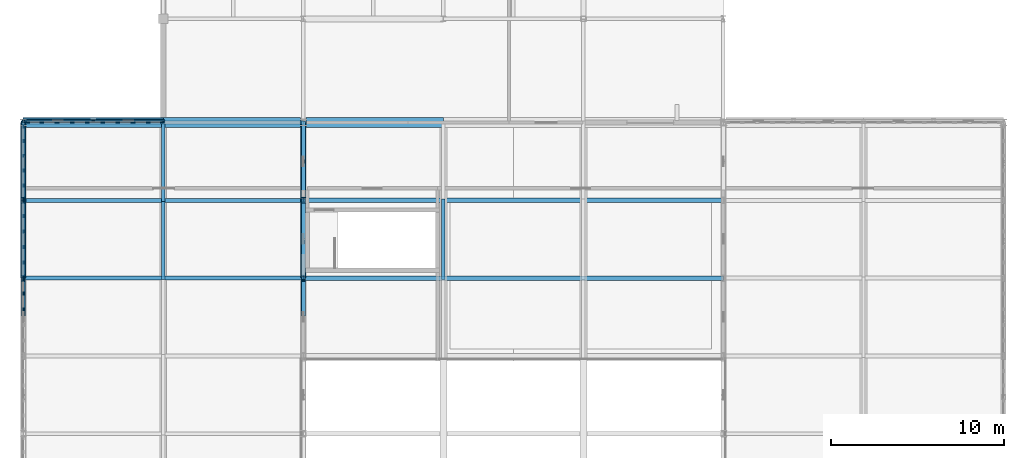
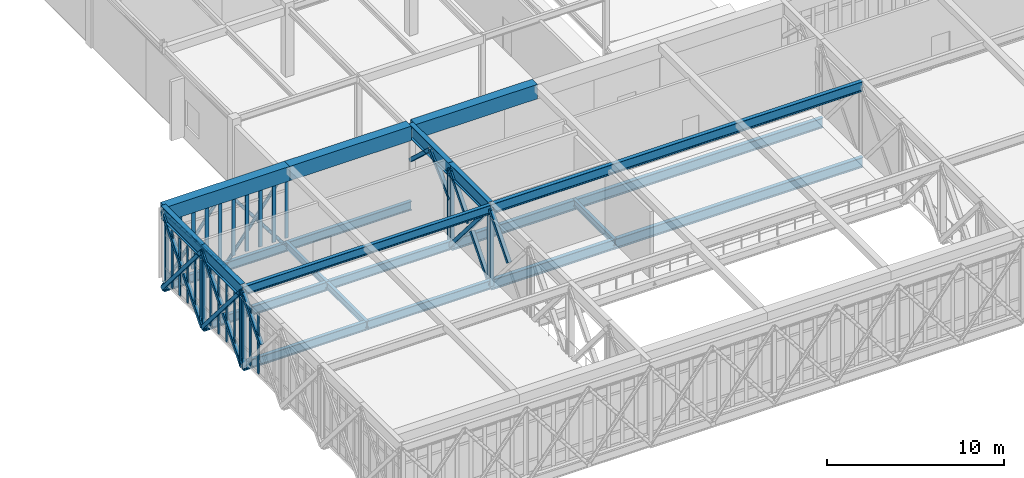
# One storey, part 14 of 70: 48 members, 17 beams, 4 elements without a shape of their own.
"""IFC4 building model written with IfcOpenShell, lengths in metres."""

from ifc_helpers import new_model, si_unit, direction, frame, origin, origin_2d, place, context, subcontext, project, spatial, rectangle, hollow_rectangle, hollow_circle, i_section, extrude, material, material_profile, profile_set, type_object, element, aggregate, save


model = new_model("IFC4")

# Units and contexts
model_context = context("Model", 3, precision=1e-05, world=origin(), true_north=direction((0.0, 1.0)))
body_context = subcontext(model_context, "Body", "Model", "MODEL_VIEW")
ifc_project = project(units=[si_unit("LENGTHUNIT", "METRE"), si_unit("AREAUNIT", "SQUARE_METRE"), si_unit("VOLUMEUNIT", "CUBIC_METRE"), si_unit("PLANEANGLEUNIT", "RADIAN"), si_unit("MASSUNIT", "GRAM", prefix="KILO")], contexts=[model_context])

# Site, building, storey
site_placement = place(None, origin())
site = spatial("IfcSite", under=ifc_project, at=site_placement, CompositionType="ELEMENT")
building_placement = place(site_placement, origin())
building = spatial("IfcBuilding", under=site, at=building_placement, Name="Tarnveldt Square Police Headquarters", CompositionType="ELEMENT")
storey_placement = place(building_placement, frame((0.0, 0.0, 19.800048828125)))
storey = spatial("IfcBuildingStorey", under=building, at=storey_placement, Name="L04", CompositionType="ELEMENT", Elevation=19.800048828125)

# Beams
ifc_material_1 = material(Name="Steel 350W", Category="steel")
ifc_material_profile_1 = material_profile(ifc_material_1, i_section(OverallWidth=0.305908203125, OverallDepth=0.9189453125, WebThickness=0.017333984375, FlangeThickness=0.02783203125, FilletRadius=0.02392578125, at=origin_2d()), Name="W920x253")
ifc_profile_set_1 = profile_set([ifc_material_profile_1], Name="Steel 350W")
beam_type_1 = type_object("IfcBeamType", Name="BM-CT-TOP", PredefinedType="BEAM", material=ifc_profile_set_1)
for number, where, z_axis, x_axis, name in (
    (1, (8.10009765625, 34.0, 4.640380859375), (0.0, -1.0, 0.0), (1.0, 0.0, 0.0), "Cantilever Truss CT-1 Top Chord 1"),
    (2, (8.10009765625, 29.5, 4.640380859375), (0.0, -1.0, 0.0), (1.0, 0.0, 0.0), "Cantilever Truss CT-1 Top Chord 2"),
    (3, (24.300048828125, 34.0, 4.640380859375), (0.0, -1.0, 0.0), (1.0, 0.0, 0.0), "Cantilever Truss CT-2 Top Chord 1"),
    (4, (24.300048828125, 29.5, 4.640380859375), (0.0, -1.0, 0.0), (1.0, 0.0, 0.0), "Cantilever Truss CT-2 Top Chord 2"),
):
    element("IfcBeam", number, at=place(storey_placement, frame(where, z_axis=z_axis, x_axis=x_axis)), inside=storey, type_object=beam_type_1, Name=name, PredefinedType="BEAM", context=body_context, shape_type="SweptSolid", body=[
        extrude(i_section(OverallWidth=0.305908203125, OverallDepth=0.9189453125, WebThickness=0.017333984375, FlangeThickness=0.02783203125, FilletRadius=0.02392578125, at=origin_2d()), origin(), (0.0, 0.0, 1.0), 4.5),
    ])
ifc_material_2 = material(Name="Concrete 50 MPa", Category="concrete")
ifc_material_profile_2 = material_profile(ifc_material_2, rectangle(XDim=0.60009765625, YDim=1.0, at=origin_2d()), Name="RC-B600x1000")
ifc_profile_set_2 = profile_set([ifc_material_profile_2], Name="Concrete 50 MPa")
beam_type_2 = type_object("IfcBeamType", Name="BM-RC600x1000", PredefinedType="BEAM", material=ifc_profile_set_2)
beam_placement = place(storey_placement, frame((8.10009765625, 34.0, 4.599853515625), z_axis=(1.0, 0.0, 0.0), x_axis=(0.0, 1.0, 0.0)))
element("IfcBeam", 5, at=beam_placement, inside=storey, type_object=beam_type_2, Name="Command and Control Room Springing Edge Ring Beam N1", PredefinedType="BEAM", context=body_context, shape_type="SweptSolid", body=[
    extrude(rectangle(XDim=0.60009765625, YDim=1.0, at=origin_2d()), origin(), (0.0, 0.0, 1.0), 8.099853515625),
])
for number, where, z_axis, x_axis, name in (
    (6, (16.199951171875, 34.0, 4.599853515625), (1.0, 0.0, 0.0), (0.0, 1.0, 0.0), "Command and Control Room Springing Edge Ring Beam N2"),
    (7, (24.449951171875, 34.0, 4.599853515625), (1.0, 0.0, 0.0), (0.0, 1.0, 0.0), "Command and Control Room Springing Edge Ring Beam N3"),
):
    element("IfcBeam", number, at=place(storey_placement, frame(where, z_axis=z_axis, x_axis=x_axis)), inside=storey, type_object=beam_type_2, Name=name, PredefinedType="BEAM", context=body_context, shape_type="SweptSolid", body=[
        extrude(rectangle(XDim=0.60009765625, YDim=1.0, at=origin_2d()), origin(), (0.0, 0.0, 1.0), 7.949951171875),
    ])
ifc_material_profile_3 = material_profile(ifc_material_1, i_section(OverallWidth=0.19189453125, OverallDepth=0.462890625, WebThickness=0.010498046875, FlangeThickness=0.017578125, FilletRadius=0.01806640625, at=origin_2d()), Name="W460x89")
ifc_profile_set_3 = profile_set([ifc_material_profile_3], Name="Steel 350W")
beam_type_3 = type_object("IfcBeamType", Name="BM-W460x89", PredefinedType="BEAM", material=ifc_profile_set_3)
for number, where, z_axis, x_axis, name in (
    (8, (16.199951171875, 34.080078125, -0.491455078125), (0.0, -1.0, 0.0), (1.0, 0.0, 0.0), "Lantern L04 Secondary Beam 16.0"),
    (9, (16.199951171875, 29.580078125, -0.491455078125), (0.0, -1.0, 0.0), (1.0, 0.0, 0.0), "Lantern L04 Secondary Beam 16.1"),
    (10, (32.39990234375, 29.580078125, -0.491455078125), (0.0, -1.0, 0.0), (1.0, 0.0, 0.0), "Lantern L04 Secondary Beam 32.1"),
):
    element("IfcBeam", number, at=place(storey_placement, frame(where, z_axis=z_axis, x_axis=x_axis)), inside=storey, type_object=beam_type_3, Name=name, PredefinedType="BEAM", context=body_context, shape_type="SweptSolid", body=[
        extrude(i_section(OverallWidth=0.19189453125, OverallDepth=0.462890625, WebThickness=0.010498046875, FlangeThickness=0.017578125, FilletRadius=0.01806640625, at=origin_2d()), origin(), (0.0, 0.0, 1.0), 4.66015625),
    ])
ifc_material_profile_4 = material_profile(ifc_material_1, i_section(OverallWidth=0.22900390625, OverallDepth=0.612060546875, WebThickness=0.011962890625, FlangeThickness=0.01953125, FilletRadius=0.01904296875, at=origin_2d()), Name="W610x125")
ifc_profile_set_4 = profile_set([ifc_material_profile_4], Name="Steel 350W")
beam_type_4 = type_object("IfcBeamType", Name="BM-W610x125", PredefinedType="BEAM", material=ifc_profile_set_4)
for number, where, z_axis, x_axis, name in (
    (11, (8.10009765625, 34.0, -0.566162109375), (1.0, 0.0, 0.0), (0.0, 1.0, 0.0), "Command Lantern L04 Transverse Girder 1.0"),
    (12, (8.10009765625, 29.5, -0.566162109375), (1.0, 0.0, 0.0), (0.0, 1.0, 0.0), "Command Lantern L04 Transverse Girder 1.1"),
    (13, (8.10009765625, 25.0, -0.566162109375), (1.0, 0.0, 0.0), (0.0, 1.0, 0.0), "Command Lantern L04 Transverse Girder 1.2"),
    (14, (8.10009765625, 25.0, 4.640380859375), (1.0, 0.0, 0.0), (0.0, 1.0, 0.0), "Command Lantern Roof Ring Girder 1.2"),
):
    element("IfcBeam", number, at=place(storey_placement, frame(where, z_axis=z_axis, x_axis=x_axis)), inside=storey, type_object=beam_type_4, Name=name, PredefinedType="BEAM", context=body_context, shape_type="SweptSolid", body=[
        extrude(i_section(OverallWidth=0.22900390625, OverallDepth=0.612060546875, WebThickness=0.011962890625, FlangeThickness=0.01953125, FilletRadius=0.01904296875, at=origin_2d()), origin(), (0.0, 0.0, 1.0), 16.199951171875),
    ])
ifc_material_profile_5 = material_profile(ifc_material_1, i_section(OverallWidth=0.25390625, OverallDepth=0.68798828125, WebThickness=0.01318359375, FlangeThickness=0.02099609375, FilletRadius=0.02001953125, at=origin_2d()), Name="W690x152")
ifc_profile_set_5 = profile_set([ifc_material_profile_5], Name="Steel 350W")
beam_type_5 = type_object("IfcBeamType", Name="BM-W690x152", PredefinedType="BEAM", material=ifc_profile_set_5)
for number, where, z_axis, x_axis, name in (
    (15, (24.300048828125, 29.5, -0.60400390625), (1.0, 0.0, 0.0), (0.0, 1.0, 0.0), "Command Lantern L04 Transverse Girder 2.1"),
    (16, (24.300048828125, 25.0, -0.60400390625), (1.0, 0.0, 0.0), (0.0, 1.0, 0.0), "Command Lantern L04 Transverse Girder 2.2"),
    (17, (24.300048828125, 25.0, 4.640380859375), (1.0, 0.0, 0.0), (0.0, 1.0, 0.0), "Command Lantern Roof Ring Girder 2.2"),
):
    element("IfcBeam", number, at=place(storey_placement, frame(where, z_axis=z_axis, x_axis=x_axis)), inside=storey, type_object=beam_type_5, Name=name, PredefinedType="BEAM", context=body_context, shape_type="SweptSolid", body=[
        extrude(i_section(OverallWidth=0.25390625, OverallDepth=0.68798828125, WebThickness=0.01318359375, FlangeThickness=0.02099609375, FilletRadius=0.02001953125, at=origin_2d()), origin(), (0.0, 0.0, 1.0), 24.300048828125),
    ])

# Curtain wall, members
ifc_material_3 = material(Name="Triple-glazed low-e laminated vision glass", Category="glass")
curtain_wall_type_1 = type_object("IfcCurtainWallType", Name="CW-LT-450x417", PredefinedType="USERDEFINED", material=ifc_material_3)
curtain_wall_1_placement = place(storey_placement, origin())
curtain_wall_1 = element("IfcCurtainWall", 18, at=curtain_wall_1_placement, inside=storey, type_object=curtain_wall_type_1, Name="L04 Curtain Wall CW-L04-053", ObjectType="GLAZED CURTAIN WALL", PredefinedType="USERDEFINED")
ifc_material_4 = material(Name="Thermally broken anodised aluminium 6063-T6", Category="aluminium")
ifc_material_profile_6 = material_profile(ifc_material_4, rectangle(XDim=0.074951171875, YDim=0.199951171875, at=origin_2d()), Name="CW-M75x200")
ifc_profile_set_6 = profile_set([ifc_material_profile_6], Name="Thermally broken anodised aluminium 6063-T6")
member_type_1 = type_object("IfcMemberType", Name="CWM-75x200", PredefinedType="MULLION", material=ifc_profile_set_6)
member_1_placement = place(storey_placement, frame((8.10009765625, 23.199951171875, 0.0), z_axis=(0.0, 0.0, 1.0), x_axis=(-1.0, 0.0, 0.0)))
member_1 = element("IfcMember", 19, at=member_1_placement, type_object=member_type_1, Name="CW-LT22 mullion 4", PredefinedType="MULLION", context=body_context, shape_type="SweptSolid", body=[
    extrude(rectangle(XDim=0.074951171875, YDim=0.199951171875, at=origin_2d()), origin(), (0.0, 0.0, 1.0), 4.1728515625),
])
member_2_placement = place(storey_placement, frame((8.10009765625, 24.10009765625, 0.0), z_axis=(0.0, 0.0, 1.0), x_axis=(-1.0, 0.0, 0.0)))
member_2 = element("IfcMember", 20, at=member_2_placement, type_object=member_type_1, Name="CW-LT22 mullion 5", PredefinedType="MULLION", context=body_context, shape_type="SweptSolid", body=[
    extrude(rectangle(XDim=0.074951171875, YDim=0.199951171875, at=origin_2d()), origin(), (0.0, 0.0, 1.0), 4.1728515625),
])
member_3_placement = place(storey_placement, frame((8.10009765625, 24.96240234375, 0.0), z_axis=(0.0, 0.0, 1.0), x_axis=(-1.0, 0.0, 0.0)))
member_3 = element("IfcMember", 21, at=member_3_placement, type_object=member_type_1, Name="CW-LT22 mullion 6", PredefinedType="MULLION", context=body_context, shape_type="SweptSolid", body=[
    extrude(rectangle(XDim=0.074951171875, YDim=0.199951171875, at=origin_2d()), origin(), (0.0, 0.0, 1.0), 4.1728515625),
])
aggregate(curtain_wall_1, [member_1, member_2, member_3])

curtain_wall_2_placement = place(storey_placement, origin())
curtain_wall_2 = element("IfcCurtainWall", 22, at=curtain_wall_2_placement, inside=storey, type_object=curtain_wall_type_1, Name="L04 Curtain Wall CW-L04-054", ObjectType="GLAZED CURTAIN WALL", PredefinedType="USERDEFINED")
member_4_placement = place(storey_placement, frame((8.10009765625, 25.03759765625, 0.0), z_axis=(0.0, 0.0, 1.0), x_axis=(-1.0, 0.0, 0.0)))
member_4 = element("IfcMember", 23, at=member_4_placement, type_object=member_type_1, Name="CW-LT22 mullion 1", PredefinedType="MULLION", context=body_context, shape_type="SweptSolid", body=[
    extrude(rectangle(XDim=0.074951171875, YDim=0.199951171875, at=origin_2d()), origin(), (0.0, 0.0, 1.0), 4.1728515625),
])
member_5_placement = place(storey_placement, frame((8.10009765625, 25.89990234375, 0.0), z_axis=(0.0, 0.0, 1.0), x_axis=(-1.0, 0.0, 0.0)))
member_5 = element("IfcMember", 24, at=member_5_placement, type_object=member_type_1, Name="CW-LT22 mullion 2", PredefinedType="MULLION", context=body_context, shape_type="SweptSolid", body=[
    extrude(rectangle(XDim=0.074951171875, YDim=0.199951171875, at=origin_2d()), origin(), (0.0, 0.0, 1.0), 4.1728515625),
])
member_6_placement = place(storey_placement, frame((8.10009765625, 26.800048828125, 0.0), z_axis=(0.0, 0.0, 1.0), x_axis=(-1.0, 0.0, 0.0)))
member_6 = element("IfcMember", 25, at=member_6_placement, type_object=member_type_1, Name="CW-LT22 mullion 3", PredefinedType="MULLION", context=body_context, shape_type="SweptSolid", body=[
    extrude(rectangle(XDim=0.074951171875, YDim=0.199951171875, at=origin_2d()), origin(), (0.0, 0.0, 1.0), 4.1728515625),
])
member_7_placement = place(storey_placement, frame((8.10009765625, 27.699951171875, 0.0), z_axis=(0.0, 0.0, 1.0), x_axis=(-1.0, 0.0, 0.0)))
member_7 = element("IfcMember", 26, at=member_7_placement, type_object=member_type_1, Name="CW-LT22 mullion 4", PredefinedType="MULLION", context=body_context, shape_type="SweptSolid", body=[
    extrude(rectangle(XDim=0.074951171875, YDim=0.199951171875, at=origin_2d()), origin(), (0.0, 0.0, 1.0), 4.1728515625),
])
member_8_placement = place(storey_placement, frame((8.10009765625, 28.60009765625, 0.0), z_axis=(0.0, 0.0, 1.0), x_axis=(-1.0, 0.0, 0.0)))
member_8 = element("IfcMember", 27, at=member_8_placement, type_object=member_type_1, Name="CW-LT22 mullion 5", PredefinedType="MULLION", context=body_context, shape_type="SweptSolid", body=[
    extrude(rectangle(XDim=0.074951171875, YDim=0.199951171875, at=origin_2d()), origin(), (0.0, 0.0, 1.0), 4.1728515625),
])
member_9_placement = place(storey_placement, frame((8.10009765625, 29.46240234375, 0.0), z_axis=(0.0, 0.0, 1.0), x_axis=(-1.0, 0.0, 0.0)))
member_9 = element("IfcMember", 28, at=member_9_placement, type_object=member_type_1, Name="CW-LT22 mullion 6", PredefinedType="MULLION", context=body_context, shape_type="SweptSolid", body=[
    extrude(rectangle(XDim=0.074951171875, YDim=0.199951171875, at=origin_2d()), origin(), (0.0, 0.0, 1.0), 4.1728515625),
])
aggregate(curtain_wall_2, [member_4, member_5, member_6, member_7, member_8, member_9])

curtain_wall_type_2 = type_object("IfcCurtainWallType", Name="CW-LT-430x395", PredefinedType="USERDEFINED", material=ifc_material_3)
curtain_wall_3_placement = place(storey_placement, origin())
curtain_wall_3 = element("IfcCurtainWall", 29, at=curtain_wall_3_placement, inside=storey, type_object=curtain_wall_type_2, Name="L04 Curtain Wall CW-L04-055", ObjectType="GLAZED CURTAIN WALL", PredefinedType="USERDEFINED")
member_10_placement = place(storey_placement, frame((8.10009765625, 29.53759765625, 0.0), z_axis=(0.0, 0.0, 1.0), x_axis=(-1.0, 0.0, 0.0)))
member_10 = element("IfcMember", 30, at=member_10_placement, type_object=member_type_1, Name="CW-LT23 mullion 1", PredefinedType="MULLION", context=body_context, shape_type="SweptSolid", body=[
    extrude(rectangle(XDim=0.074951171875, YDim=0.199951171875, at=origin_2d()), origin(), (0.0, 0.0, 1.0), 3.951904296875),
])
member_11_placement = place(storey_placement, frame((8.10009765625, 30.359619140625, 0.0), z_axis=(0.0, 0.0, 1.0), x_axis=(-1.0, 0.0, 0.0)))
member_11 = element("IfcMember", 31, at=member_11_placement, type_object=member_type_1, Name="CW-LT23 mullion 2", PredefinedType="MULLION", context=body_context, shape_type="SweptSolid", body=[
    extrude(rectangle(XDim=0.074951171875, YDim=0.199951171875, at=origin_2d()), origin(), (0.0, 0.0, 1.0), 3.951904296875),
])
member_12_placement = place(storey_placement, frame((8.10009765625, 31.21923828125, 0.0), z_axis=(0.0, 0.0, 1.0), x_axis=(-1.0, 0.0, 0.0)))
member_12 = element("IfcMember", 32, at=member_12_placement, type_object=member_type_1, Name="CW-LT23 mullion 3", PredefinedType="MULLION", context=body_context, shape_type="SweptSolid", body=[
    extrude(rectangle(XDim=0.074951171875, YDim=0.199951171875, at=origin_2d()), origin(), (0.0, 0.0, 1.0), 3.951904296875),
])
member_13_placement = place(storey_placement, frame((8.10009765625, 32.078857421875, 0.0), z_axis=(0.0, 0.0, 1.0), x_axis=(-1.0, 0.0, 0.0)))
member_13 = element("IfcMember", 33, at=member_13_placement, type_object=member_type_1, Name="CW-LT23 mullion 4", PredefinedType="MULLION", context=body_context, shape_type="SweptSolid", body=[
    extrude(rectangle(XDim=0.074951171875, YDim=0.199951171875, at=origin_2d()), origin(), (0.0, 0.0, 1.0), 3.951904296875),
])
member_14_placement = place(storey_placement, frame((8.10009765625, 32.9384765625, 0.0), z_axis=(0.0, 0.0, 1.0), x_axis=(-1.0, 0.0, 0.0)))
member_14 = element("IfcMember", 34, at=member_14_placement, type_object=member_type_1, Name="CW-LT23 mullion 5", PredefinedType="MULLION", context=body_context, shape_type="SweptSolid", body=[
    extrude(rectangle(XDim=0.074951171875, YDim=0.199951171875, at=origin_2d()), origin(), (0.0, 0.0, 1.0), 3.951904296875),
])
member_15_placement = place(storey_placement, frame((8.10009765625, 33.760498046875, 0.0), z_axis=(0.0, 0.0, 1.0), x_axis=(-1.0, 0.0, 0.0)))
member_15 = element("IfcMember", 35, at=member_15_placement, type_object=member_type_1, Name="CW-LT23 mullion 6", PredefinedType="MULLION", context=body_context, shape_type="SweptSolid", body=[
    extrude(rectangle(XDim=0.074951171875, YDim=0.199951171875, at=origin_2d()), origin(), (0.0, 0.0, 1.0), 3.951904296875),
])
aggregate(curtain_wall_3, [member_10, member_11, member_12, member_13, member_14, member_15])

ifc_material_5 = material(Name="UL 752 Level III laminated ballistic vision glass", Category="glass")
curtain_wall_type_3 = type_object("IfcCurtainWallType", Name="CW-BL-790x409", PredefinedType="USERDEFINED", material=ifc_material_5)
curtain_wall_4_placement = place(storey_placement, origin())
curtain_wall_4 = element("IfcCurtainWall", 36, at=curtain_wall_4_placement, inside=storey, type_object=curtain_wall_type_3, Name="L04 Curtain Wall CW-L04-047", ObjectType="BALLISTIC CURTAIN WALL", PredefinedType="USERDEFINED")
ifc_material_profile_7 = material_profile(ifc_material_4, rectangle(XDim=0.0849609375, YDim=0.239990234375, at=origin_2d()), Name="CW-M85x240")
ifc_profile_set_7 = profile_set([ifc_material_profile_7], Name="Thermally broken anodised aluminium 6063-T6")
member_type_2 = type_object("IfcMemberType", Name="CWM-85x240", PredefinedType="MULLION", material=ifc_profile_set_7)
member_16_placement = place(storey_placement, frame((8.344482421875, 34.0, 0.0), z_axis=(0.0, 0.0, 1.0), x_axis=(0.0, 1.0, 0.0)))
member_16 = element("IfcMember", 37, at=member_16_placement, type_object=member_type_2, Name="CW-BL19 mullion 1", PredefinedType="MULLION", context=body_context, shape_type="SweptSolid", body=[
    extrude(rectangle(XDim=0.0849609375, YDim=0.239990234375, at=origin_2d()), origin(), (0.0, 0.0, 1.0), 4.092041015625),
])
member_17_placement = place(storey_placement, frame((9.179443359375, 34.0, 0.0), z_axis=(0.0, 0.0, 1.0), x_axis=(0.0, 1.0, 0.0)))
member_17 = element("IfcMember", 38, at=member_17_placement, type_object=member_type_2, Name="CW-BL19 mullion 2", PredefinedType="MULLION", context=body_context, shape_type="SweptSolid", body=[
    extrude(rectangle(XDim=0.0849609375, YDim=0.239990234375, at=origin_2d()), origin(), (0.0, 0.0, 1.0), 4.092041015625),
])
member_18_placement = place(storey_placement, frame((10.05712890625, 34.0, 0.0), z_axis=(0.0, 0.0, 1.0), x_axis=(0.0, 1.0, 0.0)))
member_18 = element("IfcMember", 39, at=member_18_placement, type_object=member_type_2, Name="CW-BL19 mullion 3", PredefinedType="MULLION", context=body_context, shape_type="SweptSolid", body=[
    extrude(rectangle(XDim=0.0849609375, YDim=0.239990234375, at=origin_2d()), origin(), (0.0, 0.0, 1.0), 4.092041015625),
])
member_19_placement = place(storey_placement, frame((10.9345703125, 34.0, 0.0), z_axis=(0.0, 0.0, 1.0), x_axis=(0.0, 1.0, 0.0)))
member_19 = element("IfcMember", 40, at=member_19_placement, type_object=member_type_2, Name="CW-BL19 mullion 4", PredefinedType="MULLION", context=body_context, shape_type="SweptSolid", body=[
    extrude(rectangle(XDim=0.0849609375, YDim=0.239990234375, at=origin_2d()), origin(), (0.0, 0.0, 1.0), 4.092041015625),
])
member_20_placement = place(storey_placement, frame((11.812255859375, 34.0, 0.0), z_axis=(0.0, 0.0, 1.0), x_axis=(0.0, 1.0, 0.0)))
member_20 = element("IfcMember", 41, at=member_20_placement, type_object=member_type_2, Name="CW-BL19 mullion 5", PredefinedType="MULLION", context=body_context, shape_type="SweptSolid", body=[
    extrude(rectangle(XDim=0.0849609375, YDim=0.239990234375, at=origin_2d()), origin(), (0.0, 0.0, 1.0), 4.092041015625),
])
member_21_placement = place(storey_placement, frame((12.689697265625, 34.0, 0.0), z_axis=(0.0, 0.0, 1.0), x_axis=(0.0, 1.0, 0.0)))
member_21 = element("IfcMember", 42, at=member_21_placement, type_object=member_type_2, Name="CW-BL19 mullion 6", PredefinedType="MULLION", context=body_context, shape_type="SweptSolid", body=[
    extrude(rectangle(XDim=0.0849609375, YDim=0.239990234375, at=origin_2d()), origin(), (0.0, 0.0, 1.0), 4.092041015625),
])
member_22_placement = place(storey_placement, frame((13.5673828125, 34.0, 0.0), z_axis=(0.0, 0.0, 1.0), x_axis=(0.0, 1.0, 0.0)))
member_22 = element("IfcMember", 43, at=member_22_placement, type_object=member_type_2, Name="CW-BL19 mullion 7", PredefinedType="MULLION", context=body_context, shape_type="SweptSolid", body=[
    extrude(rectangle(XDim=0.0849609375, YDim=0.239990234375, at=origin_2d()), origin(), (0.0, 0.0, 1.0), 4.092041015625),
])
member_23_placement = place(storey_placement, frame((14.44482421875, 34.0, 0.0), z_axis=(0.0, 0.0, 1.0), x_axis=(0.0, 1.0, 0.0)))
member_23 = element("IfcMember", 44, at=member_23_placement, type_object=member_type_2, Name="CW-BL19 mullion 8", PredefinedType="MULLION", context=body_context, shape_type="SweptSolid", body=[
    extrude(rectangle(XDim=0.0849609375, YDim=0.239990234375, at=origin_2d()), origin(), (0.0, 0.0, 1.0), 4.092041015625),
])
member_24_placement = place(storey_placement, frame((15.322509765625, 34.0, 0.0), z_axis=(0.0, 0.0, 1.0), x_axis=(0.0, 1.0, 0.0)))
member_24 = element("IfcMember", 45, at=member_24_placement, type_object=member_type_2, Name="CW-BL19 mullion 9", PredefinedType="MULLION", context=body_context, shape_type="SweptSolid", body=[
    extrude(rectangle(XDim=0.0849609375, YDim=0.239990234375, at=origin_2d()), origin(), (0.0, 0.0, 1.0), 4.092041015625),
])
member_25_placement = place(storey_placement, frame((16.157470703125, 34.0, 0.0), z_axis=(0.0, 0.0, 1.0), x_axis=(0.0, 1.0, 0.0)))
member_25 = element("IfcMember", 46, at=member_25_placement, type_object=member_type_2, Name="CW-BL19 mullion 10", PredefinedType="MULLION", context=body_context, shape_type="SweptSolid", body=[
    extrude(rectangle(XDim=0.0849609375, YDim=0.239990234375, at=origin_2d()), origin(), (0.0, 0.0, 1.0), 4.092041015625),
])
aggregate(curtain_wall_4, [member_16, member_17, member_18, member_19, member_20, member_21, member_22, member_23, member_24, member_25])

# Members
ifc_material_profile_8 = material_profile(ifc_material_1, i_section(OverallWidth=0.257080078125, OverallDepth=0.363037109375, WebThickness=0.012939453125, FlangeThickness=0.021728515625, FilletRadius=0.01611328125, at=origin_2d()), Name="W360x122")
ifc_profile_set_8 = profile_set([ifc_material_profile_8], Name="Steel 350W")
member_type_3 = type_object("IfcMemberType", Name="MEM-CT-POST", PredefinedType="STRUT", material=ifc_profile_set_8)
for number, where, z_axis, x_axis, name in (
    (47, (8.10009765625, 29.5, -0.64306640625), (0.0, 0.0, 1.0), (1.0, 0.0, 0.0), "Cantilever Truss CT-1 L04 Post 2"),
    (48, (8.10009765625, 25.0, -0.64306640625), (0.0, 0.0, 1.0), (1.0, 0.0, 0.0), "Cantilever Truss CT-1 L04 Post 3"),
    (49, (24.300048828125, 29.5, -0.64306640625), (0.0, 0.0, 1.0), (1.0, 0.0, 0.0), "Cantilever Truss CT-2 L04 Post 2"),
    (50, (24.300048828125, 25.0, -0.64306640625), (0.0, 0.0, 1.0), (1.0, 0.0, 0.0), "Cantilever Truss CT-2 L04 Post 3"),
):
    element("IfcMember", number, at=place(storey_placement, frame(where, z_axis=z_axis, x_axis=x_axis)), inside=storey, type_object=member_type_3, Name=name, PredefinedType="STRUT", context=body_context, shape_type="SweptSolid", body=[
        extrude(i_section(OverallWidth=0.257080078125, OverallDepth=0.363037109375, WebThickness=0.012939453125, FlangeThickness=0.021728515625, FilletRadius=0.01611328125, at=origin_2d()), origin(), (0.0, 0.0, 1.0), 5.283447265625),
    ])
ifc_material_profile_9 = material_profile(ifc_material_1, hollow_rectangle(XDim=0.25390625, YDim=0.25390625, WallThickness=0.0126953125, InnerFilletRadius=0.0126953125, OuterFilletRadius=0.025390625, at=origin_2d()), Name="HSS254x254x13")
ifc_profile_set_9 = profile_set([ifc_material_profile_9], Name="Steel 350W")
member_type_4 = type_object("IfcMemberType", Name="MEM-CT-WEB2", PredefinedType="BRACE", material=ifc_profile_set_9)
member_26_placement = place(storey_placement, frame((8.10009765625, 34.0, -0.64306640625), z_axis=(0.0, -0.648406807061, 0.761294038173), x_axis=(1.0, 0.0, 0.0)))
element("IfcMember", 51, at=member_26_placement, inside=storey, type_object=member_type_4, Name="Cantilever Truss CT-1 L04 Web A1", PredefinedType="BRACE", context=body_context, shape_type="SweptSolid", body=[
    extrude(hollow_rectangle(XDim=0.25390625, YDim=0.25390625, WallThickness=0.0126953125, InnerFilletRadius=0.0126953125, OuterFilletRadius=0.025390625, at=origin_2d()), origin(), (0.0, 0.0, 1.0), 6.940185546875),
])
member_27_placement = place(storey_placement, frame((8.10009765625, 29.5, -0.64306640625), z_axis=(0.0, 0.648400353561, 0.761299534678), x_axis=(-1.0, 0.0, 0.0)))
element("IfcMember", 52, at=member_27_placement, inside=storey, type_object=member_type_4, Name="Cantilever Truss CT-1 L04 Web B1 Lower", PredefinedType="BRACE", context=body_context, shape_type="SweptSolid", body=[
    extrude(hollow_rectangle(XDim=0.25390625, YDim=0.25390625, WallThickness=0.0126953125, InnerFilletRadius=0.0126953125, OuterFilletRadius=0.025390625, at=origin_2d()), origin(), (0.0, 0.0, 1.0), 3.250244140625),
])
member_28_placement = place(storey_placement, frame((8.10009765625, 31.892578125, 2.166259765625), z_axis=(0.0, 0.648437434135, 0.761267951521), x_axis=(-1.0, 0.0, 0.0)))
element("IfcMember", 53, at=member_28_placement, inside=storey, type_object=member_type_4, Name="Cantilever Truss CT-1 L04 Web B1 Upper", PredefinedType="BRACE", context=body_context, shape_type="SweptSolid", body=[
    extrude(hollow_rectangle(XDim=0.25390625, YDim=0.25390625, WallThickness=0.0126953125, InnerFilletRadius=0.0126953125, OuterFilletRadius=0.025390625, at=origin_2d()), origin(), (0.0, 0.0, 1.0), 3.25),
])
member_29_placement = place(storey_placement, frame((8.10009765625, 29.5, -0.64306640625), z_axis=(0.0, -0.648406807061, 0.761294038173), x_axis=(1.0, 0.0, 0.0)))
element("IfcMember", 54, at=member_29_placement, inside=storey, type_object=member_type_4, Name="Cantilever Truss CT-1 L04 Web A2", PredefinedType="BRACE", context=body_context, shape_type="SweptSolid", body=[
    extrude(hollow_rectangle(XDim=0.25390625, YDim=0.25390625, WallThickness=0.0126953125, InnerFilletRadius=0.0126953125, OuterFilletRadius=0.025390625, at=origin_2d()), origin(), (0.0, 0.0, 1.0), 6.940185546875),
])
member_30_placement = place(storey_placement, frame((8.10009765625, 25.0, -0.64306640625), z_axis=(0.0, 0.648400353561, 0.761299534678), x_axis=(-1.0, 0.0, 0.0)))
element("IfcMember", 55, at=member_30_placement, inside=storey, type_object=member_type_4, Name="Cantilever Truss CT-1 L04 Web B2 Lower", PredefinedType="BRACE", context=body_context, shape_type="SweptSolid", body=[
    extrude(hollow_rectangle(XDim=0.25390625, YDim=0.25390625, WallThickness=0.0126953125, InnerFilletRadius=0.0126953125, OuterFilletRadius=0.025390625, at=origin_2d()), origin(), (0.0, 0.0, 1.0), 3.250244140625),
])
for number, where, z_axis, x_axis, name in (
    (56, (8.10009765625, 27.392578125, 2.166259765625), (0.0, 0.648437434135, 0.761267951521), (-1.0, 0.0, 0.0), "Cantilever Truss CT-1 L04 Web B2 Upper"),
    (57, (8.10009765625, 22.892578125, 2.166259765625), (0.0, 0.648437434135, 0.761267951521), (-1.0, 0.0, 0.0), "Cantilever Truss CT-1 L04 Web B3 Upper"),
):
    element("IfcMember", number, at=place(storey_placement, frame(where, z_axis=z_axis, x_axis=x_axis)), inside=storey, type_object=member_type_4, Name=name, PredefinedType="BRACE", context=body_context, shape_type="SweptSolid", body=[
        extrude(hollow_rectangle(XDim=0.25390625, YDim=0.25390625, WallThickness=0.0126953125, InnerFilletRadius=0.0126953125, OuterFilletRadius=0.025390625, at=origin_2d()), origin(), (0.0, 0.0, 1.0), 3.25),
    ])
for number, where, z_axis, x_axis, name in (
    (58, (24.300048828125, 34.0, 2.550048828125), (0.0, -0.732623589604, 0.680634024977), (1.0, 0.0, 0.0), "Cantilever Truss CT-2 L04 Portal Brace A1"),
    (59, (24.300048828125, 29.5, 2.550048828125), (0.0, 0.732623589604, 0.680634024977), (-1.0, 0.0, 0.0), "Cantilever Truss CT-2 L04 Portal Brace B1"),
):
    element("IfcMember", number, at=place(storey_placement, frame(where, z_axis=z_axis, x_axis=x_axis)), inside=storey, type_object=member_type_4, Name=name, PredefinedType="BRACE", context=body_context, shape_type="SweptSolid", body=[
        extrude(hollow_rectangle(XDim=0.25390625, YDim=0.25390625, WallThickness=0.0126953125, InnerFilletRadius=0.0126953125, OuterFilletRadius=0.025390625, at=origin_2d()), origin(), (0.0, 0.0, 1.0), 3.071044921875),
    ])
member_31_placement = place(storey_placement, frame((24.300048828125, 29.5, -0.64306640625), z_axis=(0.0, -0.648406807061, 0.761294038173), x_axis=(1.0, 0.0, 0.0)))
element("IfcMember", 60, at=member_31_placement, inside=storey, type_object=member_type_4, Name="Cantilever Truss CT-2 L04 Web A2", PredefinedType="BRACE", context=body_context, shape_type="SweptSolid", body=[
    extrude(hollow_rectangle(XDim=0.25390625, YDim=0.25390625, WallThickness=0.0126953125, InnerFilletRadius=0.0126953125, OuterFilletRadius=0.025390625, at=origin_2d()), origin(), (0.0, 0.0, 1.0), 6.940185546875),
])
member_32_placement = place(storey_placement, frame((24.300048828125, 25.0, -0.64306640625), z_axis=(0.0, 0.648400353561, 0.761299534678), x_axis=(-1.0, 0.0, 0.0)))
element("IfcMember", 61, at=member_32_placement, inside=storey, type_object=member_type_4, Name="Cantilever Truss CT-2 L04 Web B2 Lower", PredefinedType="BRACE", context=body_context, shape_type="SweptSolid", body=[
    extrude(hollow_rectangle(XDim=0.25390625, YDim=0.25390625, WallThickness=0.0126953125, InnerFilletRadius=0.0126953125, OuterFilletRadius=0.025390625, at=origin_2d()), origin(), (0.0, 0.0, 1.0), 3.250244140625),
])
for number, where, z_axis, x_axis, name in (
    (62, (24.300048828125, 27.392578125, 2.166259765625), (0.0, 0.648437434135, 0.761267951521), (-1.0, 0.0, 0.0), "Cantilever Truss CT-2 L04 Web B2 Upper"),
    (63, (24.300048828125, 22.892578125, 2.166259765625), (0.0, 0.648437434135, 0.761267951521), (-1.0, 0.0, 0.0), "Cantilever Truss CT-2 L04 Web B3 Upper"),
):
    element("IfcMember", number, at=place(storey_placement, frame(where, z_axis=z_axis, x_axis=x_axis)), inside=storey, type_object=member_type_4, Name=name, PredefinedType="BRACE", context=body_context, shape_type="SweptSolid", body=[
        extrude(hollow_rectangle(XDim=0.25390625, YDim=0.25390625, WallThickness=0.0126953125, InnerFilletRadius=0.0126953125, OuterFilletRadius=0.025390625, at=origin_2d()), origin(), (0.0, 0.0, 1.0), 3.25),
    ])
ifc_material_profile_10 = material_profile(ifc_material_1, hollow_circle(Radius=0.109619140625, WallThickness=0.010986328125, at=origin_2d()), Name="HSS219x11")
ifc_profile_set_10 = profile_set([ifc_material_profile_10], Name="Steel 350W")
member_type_5 = type_object("IfcMemberType", Name="MEM-LT-DIAG2", PredefinedType="BRACE", material=ifc_profile_set_10)
member_33_placement = place(storey_placement, frame((8.10009765625, 34.10009765625, -0.64306640625), z_axis=(0.608352238036, 0.0, 0.793667155977), x_axis=(0.0, 1.0, 0.0)))
element("IfcMember", 64, at=member_33_placement, inside=storey, type_object=member_type_5, Name="Command Lantern N Steel Lattice Brace 1.1A", PredefinedType="BRACE", context=body_context, shape_type="SweptSolid", body=[
    extrude(hollow_circle(Radius=0.109619140625, WallThickness=0.010986328125, at=origin_2d()), origin(), (0.0, 0.0, 1.0), 6.656982421875),
])
member_34_placement = place(storey_placement, frame((12.14990234375, 34.10009765625, -0.64306640625), z_axis=(-0.608344715413, 0.0, 0.793672922071), x_axis=(0.0, -1.0, 0.0)))
element("IfcMember", 65, at=member_34_placement, inside=storey, type_object=member_type_5, Name="Command Lantern N Steel Lattice Brace 1.1B Lower", PredefinedType="BRACE", context=body_context, shape_type="SweptSolid", body=[
    extrude(hollow_circle(Radius=0.109619140625, WallThickness=0.010986328125, at=origin_2d()), origin(), (0.0, 0.0, 1.0), 3.128662109375),
])
member_35_placement = place(storey_placement, frame((10.00341796875, 34.10009765625, 2.157470703125), z_axis=(-0.608382393445, 0.0, 0.793644040705), x_axis=(0.0, -1.0, 0.0)))
element("IfcMember", 66, at=member_35_placement, inside=storey, type_object=member_type_5, Name="Command Lantern N Steel Lattice Brace 1.1B Upper", PredefinedType="BRACE", context=body_context, shape_type="SweptSolid", body=[
    extrude(hollow_circle(Radius=0.109619140625, WallThickness=0.010986328125, at=origin_2d()), origin(), (0.0, 0.0, 1.0), 3.12841796875),
])
member_36_placement = place(storey_placement, frame((12.14990234375, 34.10009765625, -0.64306640625), z_axis=(0.608375338642, 0.0, 0.793649448644), x_axis=(0.0, 1.0, 0.0)))
element("IfcMember", 67, at=member_36_placement, inside=storey, type_object=member_type_5, Name="Command Lantern N Steel Lattice Brace 1.2A", PredefinedType="BRACE", context=body_context, shape_type="SweptSolid", body=[
    extrude(hollow_circle(Radius=0.109619140625, WallThickness=0.010986328125, at=origin_2d()), origin(), (0.0, 0.0, 1.0), 6.6572265625),
])
member_37_placement = place(storey_placement, frame((16.199951171875, 34.10009765625, -0.64306640625), z_axis=(-0.608344715413, 0.0, 0.793672922071), x_axis=(0.0, -1.0, 0.0)))
element("IfcMember", 68, at=member_37_placement, inside=storey, type_object=member_type_5, Name="Command Lantern N Steel Lattice Brace 1.2B Lower", PredefinedType="BRACE", context=body_context, shape_type="SweptSolid", body=[
    extrude(hollow_circle(Radius=0.109619140625, WallThickness=0.010986328125, at=origin_2d()), origin(), (0.0, 0.0, 1.0), 3.128662109375),
])
member_38_placement = place(storey_placement, frame((14.05322265625, 34.10009765625, 2.157470703125), z_axis=(-0.608382393445, 0.0, 0.793644040705), x_axis=(0.0, -1.0, 0.0)))
element("IfcMember", 69, at=member_38_placement, inside=storey, type_object=member_type_5, Name="Command Lantern N Steel Lattice Brace 1.2B Upper", PredefinedType="BRACE", context=body_context, shape_type="SweptSolid", body=[
    extrude(hollow_circle(Radius=0.109619140625, WallThickness=0.010986328125, at=origin_2d()), origin(), (0.0, 0.0, 1.0), 3.12841796875),
])

save(model, "model.ifc")
